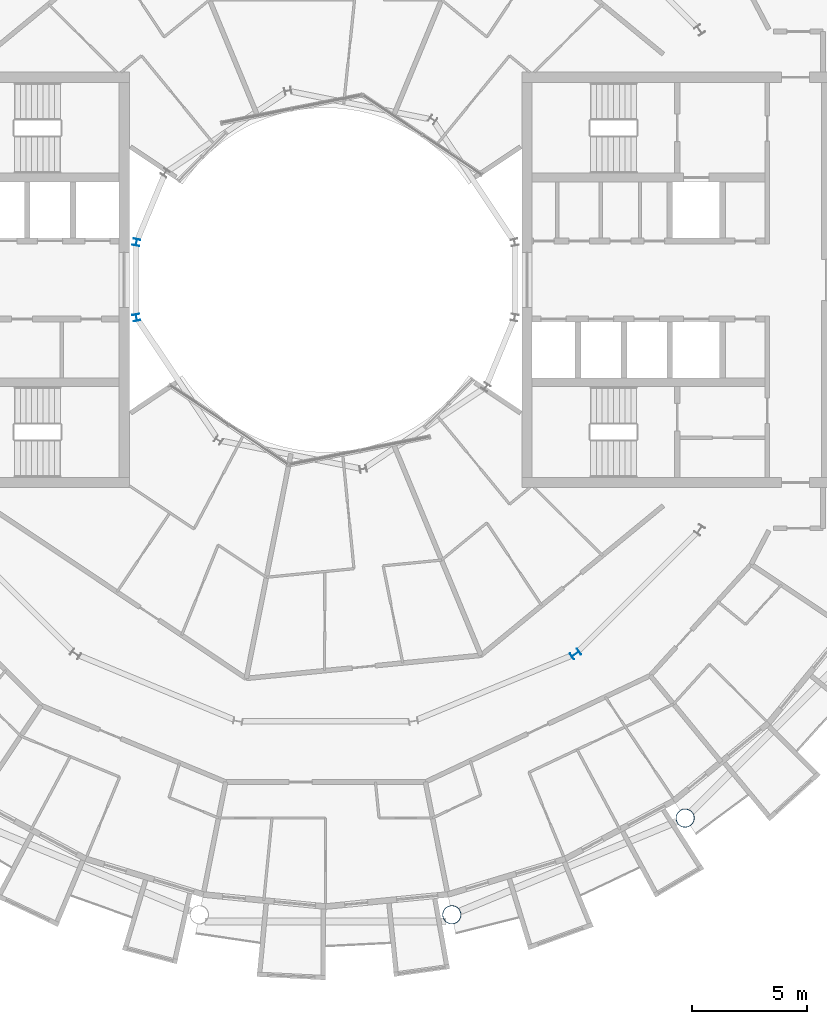
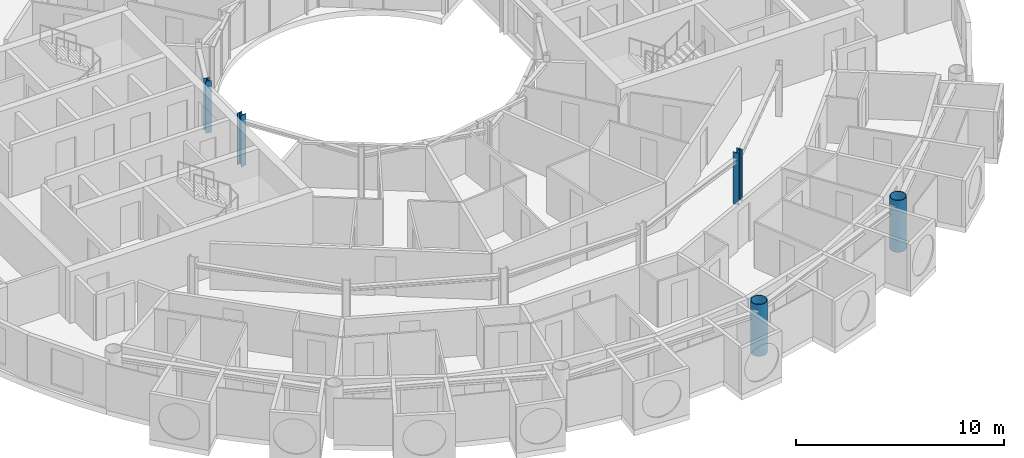
# One storey, part 2 of 29: 5 columns.
"""IFC4 building model written with IfcOpenShell, lengths in metres."""

from ifc_helpers import new_model, si_unit, direction, frame, origin, origin_2d, place, context, subcontext, project, spatial, hollow_circle, i_section, extrude, material, material_profile, profile_set, type_object, element, save


model = new_model("IFC4")

# Units and contexts
model_context = context("Model", 3, precision=1e-05, world=origin(), true_north=direction((0.0, 1.0)))
body_context = subcontext(model_context, "Body", "Model", "MODEL_VIEW")
ifc_project = project(units=[si_unit("LENGTHUNIT", "METRE"), si_unit("AREAUNIT", "SQUARE_METRE"), si_unit("VOLUMEUNIT", "CUBIC_METRE"), si_unit("PLANEANGLEUNIT", "RADIAN"), si_unit("MASSUNIT", "GRAM", prefix="KILO")], contexts=[model_context])

# Site, building, storey
site_placement = place(None, origin())
site = spatial("IfcSite", under=ifc_project, at=site_placement, CompositionType="ELEMENT")
building_placement = place(site_placement, origin())
building = spatial("IfcBuilding", under=site, at=building_placement, Name="Maasbend Ring Residences", CompositionType="ELEMENT")
storey_placement = place(building_placement, frame((0.0, 0.0, 212.699951171875)))
storey = spatial("IfcBuildingStorey", under=building, at=storey_placement, Name="L61", CompositionType="ELEMENT", Elevation=212.699951171875)

# Columns
ifc_material_1 = material(Name="Composite concrete-filled steel tube S460NH / C80/95", Category="concrete")
ifc_material_profile_1 = material_profile(ifc_material_1, hollow_circle(Radius=0.406494140625, WallThickness=0.030029296875, at=origin_2d()), Name="Composite tube column CHS 813x30")
ifc_profile_set_1 = profile_set([ifc_material_profile_1], Name="Composite concrete-filled steel tube S460NH / C80/95")
column_type_1 = type_object("IfcColumnType", Name="Composite tube column CHS 813x30", PredefinedType="COLUMN", material=ifc_profile_set_1)
for number, where, z_axis, x_axis, name in (
    (1, (5.50146484375, -27.658203125, 0.0), (0.0, 0.0, 1.0), (1.0, 0.0, 0.0), "Outer column R13"),
    (2, (15.6669921875, -23.447509765625, 0.0), (0.0, 0.0, 1.0), (1.0, 0.0, 0.0), "Outer column R14"),
):
    element("IfcColumn", number, at=place(storey_placement, frame(where, z_axis=z_axis, x_axis=x_axis)), inside=storey, type_object=column_type_1, Name=name, PredefinedType="COLUMN", context=body_context, shape_type="SweptSolid", body=[
        extrude(hollow_circle(Radius=0.406494140625, WallThickness=0.030029296875, at=origin_2d()), origin(), (0.0, 0.0, 1.0), 3.050048828125),
    ])
ifc_material_2 = material(Name="Steel S355J2", Category="steel")
ifc_material_profile_2 = material_profile(ifc_material_2, i_section(OverallWidth=0.300048828125, OverallDepth=0.2900390625, WebThickness=0.008544921875, FlangeThickness=0.013916015625, FilletRadius=0.027099609375, at=origin_2d()), Name="HEA 300")
ifc_profile_set_2 = profile_set([ifc_material_profile_2], Name="Steel S355J2")
column_type_2 = type_object("IfcColumnType", Name="Steel column HEA 300", PredefinedType="COLUMN", material=ifc_profile_set_2)
for number, where, z_axis, x_axis, name in (
    (3, (-8.238525390625, 1.638916015625, 0.0), (0.0, 0.0, 1.0), (-0.980785280403, 0.195090322016, 0.0), "Well ring column R8"),
    (4, (-8.238525390625, -1.638916015625, 0.0), (0.0, 0.0, 1.0), (-0.980785280403, -0.195090322016, 0.0), "Well ring column R9"),
):
    element("IfcColumn", number, at=place(storey_placement, frame(where, z_axis=z_axis, x_axis=x_axis)), inside=storey, type_object=column_type_2, Name=name, PredefinedType="COLUMN", context=body_context, shape_type="SweptSolid", body=[
        extrude(i_section(OverallWidth=0.300048828125, OverallDepth=0.2900390625, WebThickness=0.008544921875, FlangeThickness=0.013916015625, FilletRadius=0.027099609375, at=origin_2d()), origin(), (0.0, 0.0, 1.0), 3.050048828125),
    ])
ifc_material_3 = material(Name="Steel S355J2", Category="steel")
ifc_material_profile_3 = material_profile(ifc_material_3, i_section(OverallWidth=0.300048828125, OverallDepth=0.39990234375, WebThickness=0.013427734375, FlangeThickness=0.02392578125, FilletRadius=0.027099609375, at=origin_2d()), Name="HEB 400")
ifc_profile_set_3 = profile_set([ifc_material_profile_3], Name="Steel S355J2")
column_type_3 = type_object("IfcColumnType", Name="Steel column HEB 400", PredefinedType="COLUMN", material=ifc_profile_set_3)
column_placement = place(storey_placement, frame((10.88916015625, -16.296875, 0.0), z_axis=(0.0, 0.0, 1.0), x_axis=(0.55557023302, -0.831469612303, 0.0)))
element("IfcColumn", 5, at=column_placement, inside=storey, type_object=column_type_3, Name="Corridor ring column R14", PredefinedType="COLUMN", context=body_context, shape_type="SweptSolid", body=[
    extrude(i_section(OverallWidth=0.300048828125, OverallDepth=0.39990234375, WebThickness=0.013427734375, FlangeThickness=0.02392578125, FilletRadius=0.027099609375, at=origin_2d()), origin(), (0.0, 0.0, 1.0), 3.050048828125),
])

save(model, "model.ifc")
